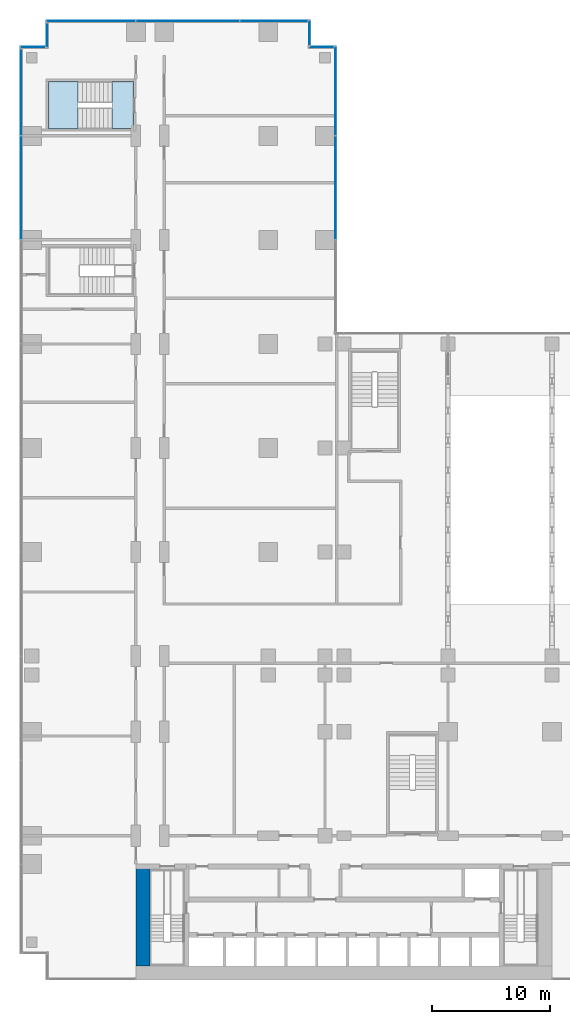
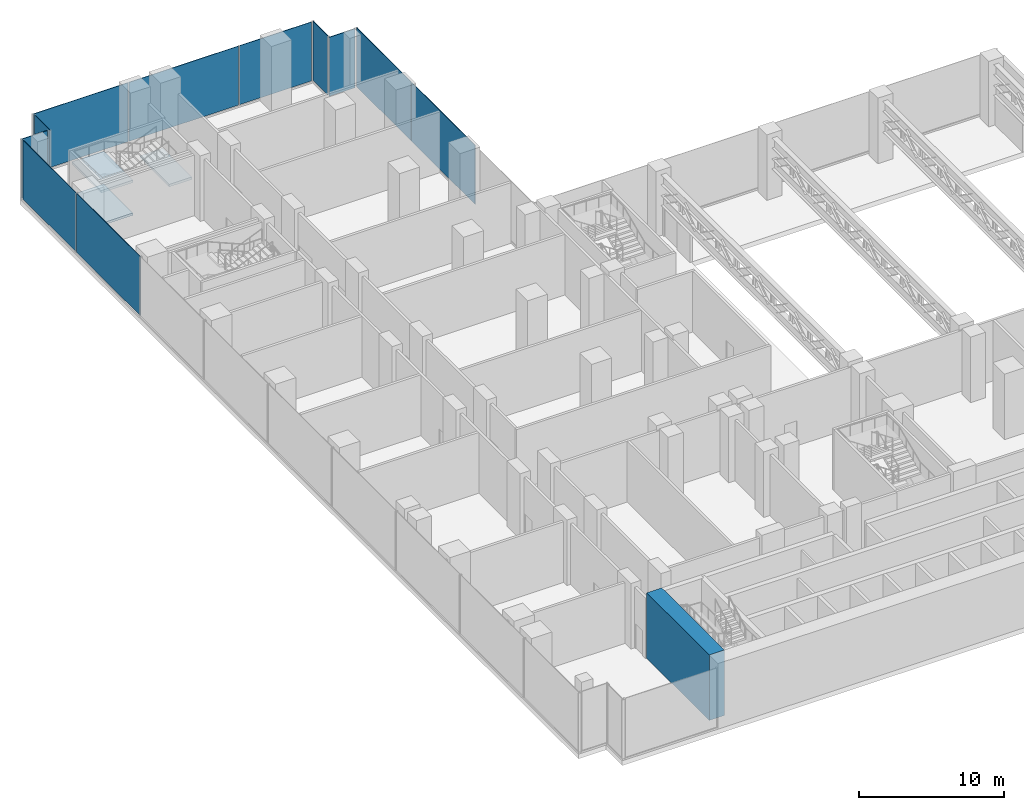
# One storey, part 17 of 30: 11 plates, 3 slabs, 1 wall, 8 elements without a shape of their own.
"""IFC4 building model written with IfcOpenShell, lengths in metres."""

from ifc_helpers import new_model, si_unit, direction, frame, frame_2d, origin, origin_2d, place, context, subcontext, project, spatial, polyline, rectangle, outline, extrude, source, transform, mapped, material, layer, layer_set, type_object, element, aggregate, save


model = new_model("IFC4")

# Units and contexts
model_context = context("Model", 3, precision=1e-05, world=origin(), true_north=direction((0.0, 1.0)))
body_context = subcontext(model_context, "Body", "Model", "MODEL_VIEW")
ifc_project = project(units=[si_unit("LENGTHUNIT", "METRE"), si_unit("AREAUNIT", "SQUARE_METRE"), si_unit("VOLUMEUNIT", "CUBIC_METRE"), si_unit("PLANEANGLEUNIT", "RADIAN"), si_unit("MASSUNIT", "GRAM", prefix="KILO")], contexts=[model_context])

# Site, building, storey
site_placement = place(None, origin())
site = spatial("IfcSite", under=ifc_project, at=site_placement, CompositionType="ELEMENT")
building_placement = place(site_placement, origin())
building = spatial("IfcBuilding", under=site, at=building_placement, Name="Kemantara Hotel Tower", CompositionType="ELEMENT")
storey_placement = place(building_placement, frame((0.0, 0.0, 23.5)))
storey = spatial("IfcBuildingStorey", under=building, at=storey_placement, Name="L04", CompositionType="ELEMENT", Elevation=23.5)

# Stair, slabs
ifc_material_1 = material(Name="Concrete fc 40 MPa", Category="concrete")
stair_type = type_object("IfcStairType", Name="Stair 1800 wide 36 risers of 153 x 360 mm", PredefinedType="HALF_TURN_STAIR", material=ifc_material_1)
stair_placement = place(storey_placement, origin())
stair = element("IfcStair", 1, at=stair_placement, inside=storey, type_object=stair_type, Name="L04 Exit stair ST6", PredefinedType="HALF_TURN_STAIR")
ifc_layer_1 = layer(ifc_material_1, 0.199951171875)
ifc_layer_set_1 = layer_set([ifc_layer_1], Name="Concrete fc 40 MPa")
slab_type = type_object("IfcSlabType", Name="Stair landing 200 mm", PredefinedType="LANDING", material=ifc_layer_set_1)
slab_1_placement = place(storey_placement, frame((0.0, 0.0, 1.175048828125)))
slab_1 = element("IfcSlab", 2, at=slab_1_placement, type_object=slab_type, Name="ST6 landing 1", PredefinedType="LANDING", context=body_context, shape_type="SweptSolid", body=[
    extrude(outline(polyline([(4.919921875, 76.0), (2.39990234375, 76.0), (2.39990234375, 72.0), (4.919921875, 72.0), (4.919921875, 76.0)])), origin(), (0.0, 0.0, 1.0), 0.199951171875),
])
slab_2_placement = place(storey_placement, frame((0.0, 0.0, 2.550048828125)))
slab_2 = element("IfcSlab", 3, at=slab_2_placement, type_object=slab_type, Name="ST6 landing 2", PredefinedType="LANDING", context=body_context, shape_type="SweptSolid", body=[
    extrude(outline(polyline([(9.60009765625, 76.0), (7.800048828125, 76.0), (7.800048828125, 72.0), (9.60009765625, 72.0), (9.60009765625, 76.0)])), origin(), (0.0, 0.0, 1.0), 0.199951171875),
])
slab_3_placement = place(storey_placement, frame((0.0, 0.0, 3.925048828125)))
slab_3 = element("IfcSlab", 4, at=slab_3_placement, type_object=slab_type, Name="ST6 landing 3", PredefinedType="LANDING", context=body_context, shape_type="SweptSolid", body=[
    extrude(outline(polyline([(4.919921875, 76.0), (2.39990234375, 76.0), (2.39990234375, 72.0), (4.919921875, 72.0), (4.919921875, 76.0)])), origin(), (0.0, 0.0, 1.0), 0.199951171875),
])
aggregate(stair, [slab_1, slab_2, slab_3])

# Curtain wall, plate
ifc_material_2 = material(Name="Laminated tinted insulated glass 44 mm", Category="glass")
curtain_wall_type = type_object("IfcCurtainWallType", Name="PODIUM GLASS CURTAIN WALL", PredefinedType="USERDEFINED", material=ifc_material_2)
curtain_wall_1_placement = place(storey_placement, origin())
curtain_wall_1 = element("IfcCurtainWall", 5, at=curtain_wall_1_placement, inside=storey, type_object=curtain_wall_type, Name="CW1 L04 POD-R10-1", ObjectType="PODIUM GLASS CURTAIN WALL", PredefinedType="USERDEFINED")
ifc_layer_2 = layer(ifc_material_2, 0.0439453125)
ifc_layer_set_2 = layer_set([ifc_layer_2], Name="Laminated tinted insulated glass 44 mm")
plate_type = type_object("IfcPlateType", Name="PODIUM GLASS CURTAIN WALL PANEL", PredefinedType="CURTAIN_PANEL", material=ifc_layer_set_2)
shared_shape_1 = source(origin(), body_context, "Body", "SweptSolid", [
    extrude(rectangle(XDim=8.72509765625, YDim=0.0439453125, at=origin_2d()), origin(), (0.0, 0.0, 1.0), 4.949951171875),
])
plate_1_placement = place(storey_placement, frame((26.699951171875, 67.0, 0.14990234375), z_axis=(0.0, 0.0, 1.0), x_axis=(0.0, 1.0, 0.0)))
plate_1 = element("IfcPlate", 6, at=plate_1_placement, type_object=plate_type, Name="CW1 glass panel POD-R10-1.2", PredefinedType="CURTAIN_PANEL", context=body_context, shape_type="MappedRepresentation", body=[
    mapped(shared_shape_1, transform((0.0, 0.0, 0.0))),
])

curtain_wall_2_placement = place(storey_placement, origin())
curtain_wall_2 = element("IfcCurtainWall", 7, at=curtain_wall_2_placement, inside=storey, type_object=curtain_wall_type, Name="CW1 L04 POD-R13-1", ObjectType="PODIUM GLASS CURTAIN WALL", PredefinedType="USERDEFINED")
plate_2_placement = place(storey_placement, frame((14.199951171875, 81.10009765625, 0.14990234375), z_axis=(0.0, 0.0, 1.0), x_axis=(-1.0, 0.0, 0.0)))
plate_2 = element("IfcPlate", 8, at=plate_2_placement, type_object=plate_type, Name="CW1 glass panel POD-R13-1.2", PredefinedType="CURTAIN_PANEL", context=body_context, shape_type="MappedRepresentation", body=[
    mapped(shared_shape_1, transform((0.0, 0.0, 0.0))),
])

curtain_wall_3_placement = place(storey_placement, origin())
curtain_wall_3 = element("IfcCurtainWall", 9, at=curtain_wall_3_placement, inside=storey, type_object=curtain_wall_type, Name="CW1 L04 POD-R16-1", ObjectType="PODIUM GLASS CURTAIN WALL", PredefinedType="USERDEFINED")
plate_3_placement = place(storey_placement, frame((0.10009765625, 67.0, 0.14990234375), z_axis=(0.0, 0.0, 1.0), x_axis=(0.0, -1.0, 0.0)))
plate_3 = element("IfcPlate", 10, at=plate_3_placement, type_object=plate_type, Name="CW1 glass panel POD-R16-1.2", PredefinedType="CURTAIN_PANEL", context=body_context, shape_type="MappedRepresentation", body=[
    mapped(shared_shape_1, transform((0.0, 0.0, 0.0))),
])

# Plate
shared_shape_2 = source(origin(), body_context, "Body", "SweptSolid", [
    extrude(rectangle(XDim=7.487548828125, YDim=0.0439453125, at=origin_2d()), origin(), (0.0, 0.0, 1.0), 4.949951171875),
])
plate_4_placement = place(storey_placement, frame((26.699951171875, 75.18115234375, 0.14990234375), z_axis=(0.0, 0.0, 1.0), x_axis=(0.0, 1.0, 0.0)))
plate_4 = element("IfcPlate", 11, at=plate_4_placement, type_object=plate_type, Name="CW1 glass panel POD-R10-1.3", PredefinedType="CURTAIN_PANEL", context=body_context, shape_type="MappedRepresentation", body=[
    mapped(shared_shape_2, transform((0.0, 0.0, 0.0))),
])

aggregate(curtain_wall_1, [plate_1, plate_4])

plate_5_placement = place(storey_placement, frame((6.018798828125, 81.10009765625, 0.14990234375), z_axis=(0.0, 0.0, 1.0), x_axis=(-1.0, 0.0, 0.0)))
plate_5 = element("IfcPlate", 12, at=plate_5_placement, type_object=plate_type, Name="CW1 glass panel POD-R13-1.3", PredefinedType="CURTAIN_PANEL", context=body_context, shape_type="MappedRepresentation", body=[
    mapped(shared_shape_2, transform((0.0, 0.0, 0.0))),
])

shared_shape_3 = source(origin(), body_context, "Body", "SweptSolid", [
    extrude(rectangle(XDim=7.28759765625, YDim=0.0439453125, at=origin_2d()), origin(), (0.0, 0.0, 1.0), 4.949951171875),
])
plate_6_placement = place(storey_placement, frame((0.10009765625, 75.081298828125, 0.14990234375), z_axis=(0.0, 0.0, 1.0), x_axis=(0.0, -1.0, 0.0)))
plate_6 = element("IfcPlate", 13, at=plate_6_placement, type_object=plate_type, Name="CW1 glass panel POD-R16-1.1", PredefinedType="CURTAIN_PANEL", context=body_context, shape_type="MappedRepresentation", body=[
    mapped(shared_shape_3, transform((0.0, 0.0, 0.0))),
])

aggregate(curtain_wall_3, [plate_6, plate_3])

shared_shape_4 = source(origin(), body_context, "Body", "SweptSolid", [
    extrude(rectangle(XDim=5.6875, YDim=0.0439453125, at=origin_2d()), origin(), (0.0, 0.0, 1.0), 4.949951171875),
])
plate_7_placement = place(storey_placement, frame((21.481201171875, 81.10009765625, 0.14990234375), z_axis=(0.0, 0.0, 1.0), x_axis=(-1.0, 0.0, 0.0)))
plate_7 = element("IfcPlate", 14, at=plate_7_placement, type_object=plate_type, Name="CW1 glass panel POD-R13-1.1", PredefinedType="CURTAIN_PANEL", context=body_context, shape_type="MappedRepresentation", body=[
    mapped(shared_shape_4, transform((0.0, 0.0, 0.0))),
])

aggregate(curtain_wall_2, [plate_7, plate_2, plate_5])

# Curtain wall, plate
curtain_wall_4_placement = place(storey_placement, origin())
curtain_wall_4 = element("IfcCurtainWall", 15, at=curtain_wall_4_placement, inside=storey, type_object=curtain_wall_type, Name="CW1 L04 POD-R11-1", ObjectType="PODIUM GLASS CURTAIN WALL", PredefinedType="USERDEFINED")
shared_shape_5 = source(origin(), body_context, "Body", "SweptSolid", [
    extrude(rectangle(XDim=2.050048828125, YDim=0.0439453125, at=origin_2d()), origin(), (0.0, 0.0, 1.0), 4.949951171875),
])
plate_8_placement = place(storey_placement, frame((25.5, 78.89990234375, 0.14990234375), z_axis=(0.0, 0.0, 1.0), x_axis=(-1.0, 0.0, 0.0)))
plate_8 = element("IfcPlate", 16, at=plate_8_placement, type_object=plate_type, Name="CW1 glass panel POD-R11-1.1", PredefinedType="CURTAIN_PANEL", context=body_context, shape_type="MappedRepresentation", body=[
    mapped(shared_shape_5, transform((0.0, 0.0, 0.0))),
])
aggregate(curtain_wall_4, [plate_8])

curtain_wall_5_placement = place(storey_placement, origin())
curtain_wall_5 = element("IfcCurtainWall", 17, at=curtain_wall_5_placement, inside=storey, type_object=curtain_wall_type, Name="CW1 L04 POD-R12-1", ObjectType="PODIUM GLASS CURTAIN WALL", PredefinedType="USERDEFINED")
plate_9_placement = place(storey_placement, frame((24.5, 80.10009765625, 0.14990234375), z_axis=(0.0, 0.0, 1.0), x_axis=(0.0, 1.0, 0.0)))
plate_9 = element("IfcPlate", 18, at=plate_9_placement, type_object=plate_type, Name="CW1 glass panel POD-R12-1.1", PredefinedType="CURTAIN_PANEL", context=body_context, shape_type="MappedRepresentation", body=[
    mapped(shared_shape_5, transform((0.0, 0.0, 0.0))),
])
aggregate(curtain_wall_5, [plate_9])

curtain_wall_6_placement = place(storey_placement, origin())
curtain_wall_6 = element("IfcCurtainWall", 19, at=curtain_wall_6_placement, inside=storey, type_object=curtain_wall_type, Name="CW1 L04 POD-R14-1", ObjectType="PODIUM GLASS CURTAIN WALL", PredefinedType="USERDEFINED")
plate_10_placement = place(storey_placement, frame((2.300048828125, 79.89990234375, 0.14990234375), z_axis=(0.0, 0.0, 1.0), x_axis=(0.0, -1.0, 0.0)))
plate_10 = element("IfcPlate", 20, at=plate_10_placement, type_object=plate_type, Name="CW1 glass panel POD-R14-1.1", PredefinedType="CURTAIN_PANEL", context=body_context, shape_type="MappedRepresentation", body=[
    mapped(shared_shape_5, transform((0.0, 0.0, 0.0))),
])
aggregate(curtain_wall_6, [plate_10])

curtain_wall_7_placement = place(storey_placement, origin())
curtain_wall_7 = element("IfcCurtainWall", 21, at=curtain_wall_7_placement, inside=storey, type_object=curtain_wall_type, Name="CW1 L04 POD-R15-1", ObjectType="PODIUM GLASS CURTAIN WALL", PredefinedType="USERDEFINED")
plate_11_placement = place(storey_placement, frame((1.10009765625, 78.89990234375, 0.14990234375), z_axis=(0.0, 0.0, 1.0), x_axis=(-1.0, 0.0, 0.0)))
plate_11 = element("IfcPlate", 22, at=plate_11_placement, type_object=plate_type, Name="CW1 glass panel POD-R15-1.1", PredefinedType="CURTAIN_PANEL", context=body_context, shape_type="MappedRepresentation", body=[
    mapped(shared_shape_5, transform((0.0, 0.0, 0.0))),
])
aggregate(curtain_wall_7, [plate_11])

# Wall
ifc_material_3 = material(Name="Concrete fc 70 MPa", Category="concrete")
ifc_layer_3 = layer(ifc_material_3, 1.199951171875)
ifc_layer_set_3 = layer_set([ifc_layer_3], Name="Concrete fc 70 MPa")
wall_type = type_object("IfcWallType", Name="CORE WALL 1200 FC70", PredefinedType="SHEAR", material=ifc_layer_set_3)
wall_placement = place(storey_placement, frame((10.39990234375, 1.199951171875, 0.0), z_axis=(0.0, 0.0, 1.0), x_axis=(0.0, 1.0, 0.0)))
element("IfcWall", 23, at=wall_placement, inside=storey, type_object=wall_type, Name="CORE WALL CW-W", PredefinedType="SHEAR", context=body_context, shape_type="SweptSolid", body=[
    extrude(rectangle(XDim=8.60009765625, YDim=1.199951171875, at=frame_2d((4.300048828125, 0.0))), origin(), (0.0, 0.0, 1.0), 5.5),
])

save(model, "model.ifc")
